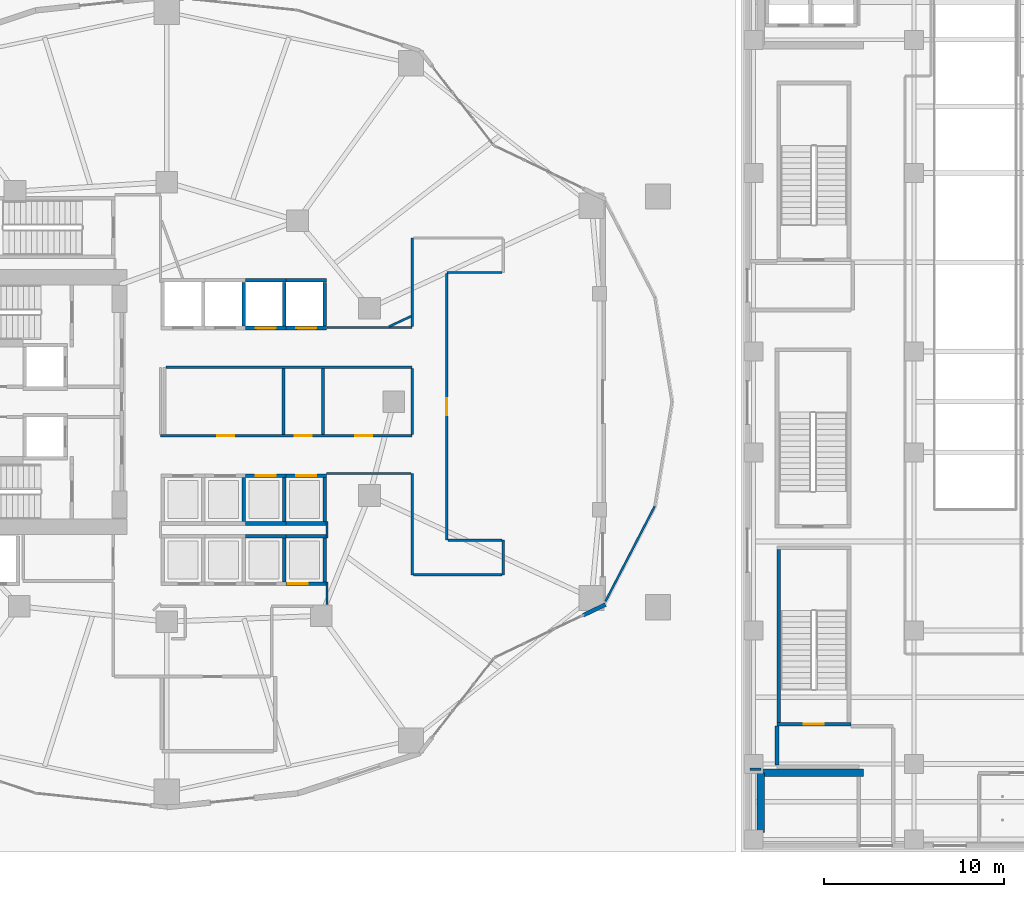
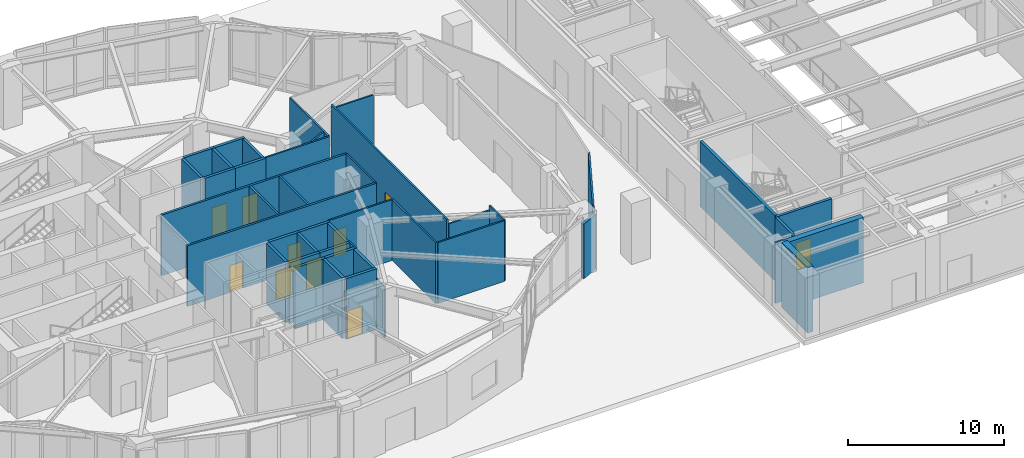
# One storey, part 13 of 23: 44 walls, 10 doors, 10 openings.
"""IFC4 building model written with IfcOpenShell, lengths in metres."""

from ifc_helpers import new_model, si_unit, direction, frame, frame_2d, origin, place, context, subcontext, project, spatial, rectangle, extrude, material, layer, layer_set, type_object, element, fill, save


model = new_model("IFC4")

# Units and contexts
model_context = context("Model", 3, precision=1e-05, world=origin(), true_north=direction((0.0, 1.0)))
body_context = subcontext(model_context, "Body", "Model", "MODEL_VIEW")
ifc_project = project(units=[si_unit("LENGTHUNIT", "METRE"), si_unit("AREAUNIT", "SQUARE_METRE"), si_unit("VOLUMEUNIT", "CUBIC_METRE"), si_unit("PLANEANGLEUNIT", "RADIAN"), si_unit("MASSUNIT", "GRAM", prefix="KILO")], contexts=[model_context])

# Site, building, storey
site_placement = place(None, origin())
site = spatial("IfcSite", under=ifc_project, at=site_placement, CompositionType="ELEMENT")
building_placement = place(site_placement, origin())
building = spatial("IfcBuilding", under=site, at=building_placement, Name="Kolvaren Gate Tower and Convention Centre", CompositionType="ELEMENT")
storey_placement = place(building_placement, origin())
storey = spatial("IfcBuildingStorey", under=building, at=storey_placement, Name="L00", CompositionType="ELEMENT", Elevation=0.0)

# Walls
ifc_material_1 = material(Name="Fire-Rated Acoustic Gypsum Stud Partition", Category="gypsum")
ifc_layer_1 = layer(ifc_material_1, 0.1201171875)
ifc_layer_set_1 = layer_set([ifc_layer_1], Name="Fire-Rated Acoustic Gypsum Stud Partition")
wall_type_1 = type_object("IfcWallType", Name="ARCH-WL-PART-120", PredefinedType="PARTITIONING", material=ifc_layer_set_1)
wall_1_placement = place(storey_placement, frame((39.02001953125, 31.1201171875, 0.0), z_axis=(0.0, 0.0, 1.0), x_axis=(1.0, 0.0, 0.0)))
element("IfcWall", 1, at=wall_1_placement, inside=storey, type_object=wall_type_1, Name="Interior Partition WL-L00-INT-026", PredefinedType="PARTITIONING", context=body_context, shape_type="SweptSolid", body=[
    extrude(rectangle(XDim=4.72998046875, YDim=0.1201171875, at=frame_2d((2.364990234375, 0.0))), origin(), (0.0, 0.0, 1.0), 4.739990234375),
])
wall_2_placement = place(storey_placement, frame((43.75, 17.39990234375, 0.0), z_axis=(0.0, 0.0, 1.0), x_axis=(0.0, 1.0, 0.0)))
element("IfcWall", 2, at=wall_2_placement, inside=storey, type_object=wall_type_1, Name="Interior Partition WL-L00-INT-027", PredefinedType="PARTITIONING", context=body_context, shape_type="SweptSolid", body=[
    extrude(rectangle(XDim=5.6201171875, YDim=0.1201171875, at=frame_2d((2.81005859375, 0.0))), origin(), (0.0, 0.0, 1.0), 4.739990234375),
])
wall_3_placement = place(storey_placement, frame((43.75, 25.197021484375, 0.0), z_axis=(0.0, 0.0, 1.0), x_axis=(0.0, 1.0, 0.0)))
element("IfcWall", 3, at=wall_3_placement, inside=storey, type_object=wall_type_1, Name="Interior Partition WL-L00-INT-028", PredefinedType="PARTITIONING", context=body_context, shape_type="SweptSolid", body=[
    extrude(rectangle(XDim=3.64599609375, YDim=0.1201171875, at=frame_2d((1.822998046875, 0.0))), origin(), (0.0, 0.0, 1.0), 4.739990234375),
])
wall_4_placement = place(storey_placement, frame((43.75, 31.181884765625, 0.0), z_axis=(0.0, 0.0, 1.0), x_axis=(0.0, 1.0, 0.0)))
element("IfcWall", 4, at=wall_4_placement, inside=storey, type_object=wall_type_1, Name="Interior Partition WL-L00-INT-029", PredefinedType="PARTITIONING", context=body_context, shape_type="SweptSolid", body=[
    extrude(rectangle(XDim=4.918212890625, YDim=0.1201171875, at=frame_2d((2.458984375, 0.0))), origin(), (0.0, 0.0, 1.0), 4.739990234375),
])
wall_5_placement = place(storey_placement, frame((48.800048828125, 17.39990234375, 0.0), z_axis=(0.0, 0.0, 1.0), x_axis=(0.0, 1.0, 0.0)))
element("IfcWall", 5, at=wall_5_placement, inside=storey, type_object=wall_type_1, Name="Interior Partition WL-L00-INT-031", PredefinedType="PARTITIONING", context=body_context, shape_type="SweptSolid", body=[
    extrude(rectangle(XDim=1.920166015625, YDim=0.1201171875, at=frame_2d((0.9599609375, 0.0))), origin(), (0.0, 0.0, 1.0), 4.739990234375),
])
wall_6_placement = place(storey_placement, frame((45.669921875, 34.179931640625, 0.0), z_axis=(0.0, 0.0, 1.0), x_axis=(1.0, 0.0, 0.0)))
element("IfcWall", 6, at=wall_6_placement, inside=storey, type_object=wall_type_1, Name="Interior Partition WL-L00-INT-033", PredefinedType="PARTITIONING", context=body_context, shape_type="SweptSolid", body=[
    extrude(rectangle(XDim=3.068115234375, YDim=0.1201171875, at=frame_2d((1.5341796875, 0.0))), origin(), (0.0, 0.0, 1.0), 4.375),
])

# Wall, opening, door
wall_7_placement = place(storey_placement, frame((45.669921875, 19.320068359375, 0.0), z_axis=(0.0, 0.0, 1.0), x_axis=(0.0, 1.0, 0.0)))
wall_7 = element("IfcWall", 7, at=wall_7_placement, inside=storey, type_object=wall_type_1, Name="Interior Partition WL-L00-INT-034", PredefinedType="PARTITIONING", context=body_context, shape_type="SweptSolid", body=[
    extrude(rectangle(XDim=14.7978515625, YDim=0.1201171875, at=frame_2d((7.39892578125, 0.0))), origin(), (0.0, 0.0, 1.0), 4.739990234375),
])
opening_1_placement = place(wall_7_placement, frame((6.924072265625, 0.0, 0.0)))
opening_1 = element("IfcOpeningElement", 8, at=opening_1_placement, cuts=wall_7, Name="Opening DR-01", PredefinedType="OPENING", context=body_context, shape_type="SweptSolid", body=[
    extrude(rectangle(XDim=0.949951171875, YDim=2.10009765625, at=frame_2d((0.47509765625, 1.050048828125))), frame((0.0, 0.070068359375, 0.0), z_axis=(0.0, -1.0, 0.0), x_axis=(1.0, 0.0, 0.0)), (0.0, 0.0, 1.0), 0.14013671875),
])
ifc_material_2 = material(Name="Painted Architectural Steelwork ASTM A500 Grade C 345 MPa", Category="steel")
door_type_1 = type_object("IfcDoorType", Name="ARCH-DR-RISER-950", OperationType="SINGLE_SWING_RIGHT", PredefinedType="DOOR", material=ifc_material_2)
door_1_placement = place(opening_1_placement, origin())
door_1 = element("IfcDoor", 9, at=door_1_placement, inside=storey, type_object=door_type_1, Name="Tower Triple-Height Entrance Lobby Door", OperationType="SINGLE_SWING_RIGHT", OverallHeight=2.10009765625, OverallWidth=0.949951171875, PredefinedType="DOOR", context=body_context, shape_type="SweptSolid", body=[
    extrude(rectangle(XDim=0.949951171875, YDim=2.10009765625, at=frame_2d((0.47509765625, 1.050048828125))), frame((0.0, 0.02490234375, 0.0), z_axis=(0.0, -1.0, 0.0), x_axis=(1.0, 0.0, 0.0)), (0.0, 0.0, 1.0), 0.050048828125),
])
fill(opening_1, door_1)

# Walls
wall_8_placement = place(storey_placement, frame((45.73193359375, 19.320068359375, 0.0), z_axis=(0.0, 0.0, 1.0), x_axis=(1.0, 0.0, 0.0)))
element("IfcWall", 10, at=wall_8_placement, inside=storey, type_object=wall_type_1, Name="Interior Partition WL-L00-INT-035", PredefinedType="PARTITIONING", context=body_context, shape_type="SweptSolid", body=[
    extrude(rectangle(XDim=3.006103515625, YDim=0.1201171875, at=frame_2d((1.5029296875, 0.0))), origin(), (0.0, 0.0, 1.0), 4.375),
])
wall_9_placement = place(storey_placement, frame((43.81201171875, 17.39990234375, 0.0), z_axis=(0.0, 0.0, 1.0), x_axis=(1.0, 0.0, 0.0)))
element("IfcWall", 11, at=wall_9_placement, inside=storey, type_object=wall_type_1, Name="Interior Partition WL-L00-INT-036", PredefinedType="PARTITIONING", context=body_context, shape_type="SweptSolid", body=[
    extrude(rectangle(XDim=4.926025390625, YDim=0.1201171875, at=frame_2d((2.462890625, 0.0))), origin(), (0.0, 0.0, 1.0), 4.739990234375),
])
wall_10_placement = place(storey_placement, frame((39.0, 23.02001953125, 0.0), z_axis=(0.0, 0.0, 1.0), x_axis=(1.0, 0.0, 0.0)))
element("IfcWall", 12, at=wall_10_placement, inside=storey, type_object=wall_type_1, Name="Interior Partition WL-L00-INT-038", PredefinedType="PARTITIONING", context=body_context, shape_type="SweptSolid", body=[
    extrude(rectangle(XDim=4.68798828125, YDim=0.1201171875, at=frame_2d((2.343994140625, 0.0))), origin(), (0.0, 0.0, 1.0), 4.739990234375),
])
wall_11_placement = place(storey_placement, frame((39.02001953125, 15.741943359375, 0.0), z_axis=(0.0, 0.0, 1.0), x_axis=(0.0, 1.0, 0.0)))
element("IfcWall", 13, at=wall_11_placement, inside=storey, type_object=wall_type_1, Name="Interior Partition WL-L00-INT-039", PredefinedType="PARTITIONING", context=body_context, shape_type="SweptSolid", body=[
    extrude(rectangle(XDim=1.26806640625, YDim=0.1201171875, at=frame_2d((0.634033203125, 0.0))), origin(), (0.0, 0.0, 1.0), 3.97412109375),
])
wall_12_placement = place(storey_placement, frame((39.02001953125, 19.43994140625, 0.0), z_axis=(0.0, 0.0, 1.0), x_axis=(0.0, 1.0, 0.0)))
element("IfcWall", 14, at=wall_12_placement, inside=storey, type_object=wall_type_1, Name="Interior Partition WL-L00-INT-039 (2)", PredefinedType="PARTITIONING", context=body_context, shape_type="SweptSolid", body=[
    extrude(rectangle(XDim=0.920166015625, YDim=0.1201171875, at=frame_2d((0.4599609375, 0.0))), origin(), (0.0, 0.0, 1.0), 4.739990234375),
])
wall_13_placement = place(storey_placement, frame((54.48193359375, 15.9248046875, 0.0), z_axis=(0.0, 0.0, 1.0), x_axis=(0.459903416242, 0.88796894525, 0.0)))
element("IfcWall", 15, at=wall_13_placement, inside=storey, type_object=wall_type_1, Name="Interior Partition WL-L00-INT-049", PredefinedType="PARTITIONING", context=body_context, shape_type="SweptSolid", body=[
    extrude(rectangle(XDim=5.94287109375, YDim=0.1201171875, at=frame_2d((2.971435546875, 0.0))), origin(), (0.0, 0.0, 1.0), 4.739990234375),
])
wall_14_placement = place(storey_placement, frame((42.468017578125, 31.181884765625, 0.0), z_axis=(0.0, 0.0, 1.0), x_axis=(0.906178507052, 0.422895392925, 0.0)))
element("IfcWall", 16, at=wall_14_placement, inside=storey, type_object=wall_type_1, Name="Interior Partition WL-L00-INT-050", PredefinedType="PARTITIONING", context=body_context, shape_type="SweptSolid", body=[
    extrude(rectangle(XDim=1.34619140625, YDim=0.1201171875, at=frame_2d((0.673095703125, 0.0))), origin(), (0.0, 0.0, 1.0), 4.739990234375),
])
wall_15_placement = place(storey_placement, frame((62.501953125, 6.60009765625, 0.0), z_axis=(0.0, 0.0, 1.0), x_axis=(1.0, 0.0, 0.0)))
element("IfcWall", 17, at=wall_15_placement, inside=storey, type_object=wall_type_1, Name="Interior Partition WL-L00-INT-075", PredefinedType="PARTITIONING", context=body_context, shape_type="SweptSolid", body=[
    extrude(rectangle(XDim=0.59814453125, YDim=0.1201171875, at=frame_2d((0.299072265625, 0.0))), origin(), (0.0, 0.0, 1.0), 4.739990234375),
])
ifc_material_3 = material(Name="Bogota Sabana Bush-Hammered Sandstone Cladding", Category="masonry")
ifc_layer_2 = layer(ifc_material_3, 0.219970703125)
ifc_layer_set_2 = layer_set([ifc_layer_2], Name="Bogota Sabana Bush-Hammered Sandstone Cladding")
wall_type_2 = type_object("IfcWallType", Name="ARCH-WL-PIER-220", PredefinedType="SOLIDWALL", material=ifc_layer_set_2)
wall_16_placement = place(storey_placement, frame((53.23681640625, 15.151611328125, 0.0), z_axis=(0.0, 0.0, 1.0), x_axis=(0.901316119915, 0.433161923512, 0.0)))
element("IfcWall", 18, at=wall_16_placement, inside=storey, type_object=wall_type_2, Name="Tower L00 Unitised Curtain Wall CW-POD-GLZ Bay 21 Right Column Pier Wrap", PredefinedType="SOLIDWALL", context=body_context, shape_type="SweptSolid", body=[
    extrude(rectangle(XDim=1.38134765625, YDim=0.219970703125, at=frame_2d((0.690673828125, 0.0))), origin(), (0.0, 0.0, 1.0), 4.262939453125),
])
ifc_material_4 = material(Name="Autoclaved Aerated Masonry Blockwork Class 4 (4.0 MPa)", Category="masonry")
ifc_layer_3 = layer(ifc_material_4, 0.199951171875)
ifc_layer_set_3 = layer_set([ifc_layer_3], Name="Autoclaved Aerated Masonry Blockwork Class 4 (4.0 MPa)")
wall_type_3 = type_object("IfcWallType", Name="ARCH-WL-SHAFT-200", PredefinedType="SOLIDWALL", material=ifc_layer_set_3)
wall_17_placement = place(storey_placement, frame((34.39990234375, 31.2099609375, 0.0), z_axis=(0.0, 0.0, 1.0), x_axis=(0.0, 1.0, 0.0)))
element("IfcWall", 19, at=wall_17_placement, inside=storey, type_object=wall_type_3, Name="Elevator PL-02 L00 Fire Shaft Wall E", PredefinedType="SOLIDWALL", context=body_context, shape_type="SweptSolid", body=[
    extrude(rectangle(XDim=2.429931640625, YDim=0.199951171875, at=frame_2d((1.21484375, 0.0))), origin(), (0.0, 0.0, 1.0), 4.739990234375),
])
wall_18_placement = place(storey_placement, frame((34.5, 33.75, 0.0), z_axis=(0.0, 0.0, 1.0), x_axis=(1.0, 0.0, 0.0)))
element("IfcWall", 20, at=wall_18_placement, inside=storey, type_object=wall_type_3, Name="Elevator PL-03 L00 Fire Shaft Wall N", PredefinedType="SOLIDWALL", context=body_context, shape_type="SweptSolid", body=[
    extrude(rectangle(XDim=2.25, YDim=0.199951171875, at=frame_2d((1.125, 0.0))), origin(), (0.0, 0.0, 1.0), 4.739990234375),
])

# Wall, opening, door
wall_19_placement = place(storey_placement, frame((34.5, 31.10009765625, 0.0), z_axis=(0.0, 0.0, 1.0), x_axis=(1.0, 0.0, 0.0)))
wall_19 = element("IfcWall", 21, at=wall_19_placement, inside=storey, type_object=wall_type_3, Name="Elevator PL-03 L00 Fire Shaft Wall S", PredefinedType="SOLIDWALL", context=body_context, shape_type="SweptSolid", body=[
    extrude(rectangle(XDim=2.25, YDim=0.199951171875, at=frame_2d((1.125, 0.0))), origin(), (0.0, 0.0, 1.0), 4.739990234375),
])
opening_2_placement = place(wall_19_placement, frame((0.574951171875, 0.0, 0.0)))
opening_2 = element("IfcOpeningElement", 22, at=opening_2_placement, cuts=wall_19, Name="Opening LD", PredefinedType="OPENING", context=body_context, shape_type="SweptSolid", body=[
    extrude(rectangle(XDim=1.10009765625, YDim=2.199951171875, at=frame_2d((0.550048828125, 1.10009765625))), frame((0.0, 0.10986328125, 0.0), z_axis=(0.0, -1.0, 0.0), x_axis=(1.0, 0.0, 0.0)), (0.0, 0.0, 1.0), 0.219970703125),
])
ifc_material_5 = material(Name="Brushed Stainless Steel Grade 316L", Category="steel")
door_type_2 = type_object("IfcDoorType", Name="ARCH-DR-LIFT-1100", OperationType="SLIDING_TO_LEFT", PredefinedType="DOOR", material=ifc_material_5)
door_2_placement = place(opening_2_placement, origin())
door_2 = element("IfcDoor", 23, at=door_2_placement, inside=storey, type_object=door_type_2, Name="Elevator PL-03 L00 Sliding Landing Door", OperationType="SLIDING_TO_LEFT", OverallHeight=2.199951171875, OverallWidth=1.10009765625, PredefinedType="DOOR", context=body_context, shape_type="SweptSolid", body=[
    extrude(rectangle(XDim=1.10009765625, YDim=2.199951171875, at=frame_2d((0.550048828125, 1.10009765625))), frame((0.0, 0.02490234375, 0.0), z_axis=(0.0, -1.0, 0.0), x_axis=(1.0, 0.0, 0.0)), (0.0, 0.0, 1.0), 0.050048828125),
])
fill(opening_2, door_2)

# Walls
wall_20_placement = place(storey_placement, frame((36.64990234375, 31.2099609375, 0.0), z_axis=(0.0, 0.0, 1.0), x_axis=(0.0, 1.0, 0.0)))
element("IfcWall", 24, at=wall_20_placement, inside=storey, type_object=wall_type_3, Name="Elevator PL-03 L00 Fire Shaft Wall E", PredefinedType="SOLIDWALL", context=body_context, shape_type="SweptSolid", body=[
    extrude(rectangle(XDim=2.429931640625, YDim=0.199951171875, at=frame_2d((1.21484375, 0.0))), origin(), (0.0, 0.0, 1.0), 4.739990234375),
])
wall_21_placement = place(storey_placement, frame((36.75, 33.75, 0.0), z_axis=(0.0, 0.0, 1.0), x_axis=(1.0, 0.0, 0.0)))
element("IfcWall", 25, at=wall_21_placement, inside=storey, type_object=wall_type_3, Name="Elevator PL-04 L00 Fire Shaft Wall N", PredefinedType="SOLIDWALL", context=body_context, shape_type="SweptSolid", body=[
    extrude(rectangle(XDim=2.25, YDim=0.199951171875, at=frame_2d((1.125, 0.0))), origin(), (0.0, 0.0, 1.0), 4.739990234375),
])

# Wall, opening, door
wall_22_placement = place(storey_placement, frame((36.75, 31.10009765625, 0.0), z_axis=(0.0, 0.0, 1.0), x_axis=(1.0, 0.0, 0.0)))
wall_22 = element("IfcWall", 26, at=wall_22_placement, inside=storey, type_object=wall_type_3, Name="Elevator PL-04 L00 Fire Shaft Wall S", PredefinedType="SOLIDWALL", context=body_context, shape_type="SweptSolid", body=[
    extrude(rectangle(XDim=2.25, YDim=0.199951171875, at=frame_2d((1.125, 0.0))), origin(), (0.0, 0.0, 1.0), 4.739990234375),
])
opening_3_placement = place(wall_22_placement, frame((0.574951171875, 0.0, 0.0)))
opening_3 = element("IfcOpeningElement", 27, at=opening_3_placement, cuts=wall_22, Name="Opening LD", PredefinedType="OPENING", context=body_context, shape_type="SweptSolid", body=[
    extrude(rectangle(XDim=1.10009765625, YDim=2.199951171875, at=frame_2d((0.550048828125, 1.10009765625))), frame((0.0, 0.10986328125, 0.0), z_axis=(0.0, -1.0, 0.0), x_axis=(1.0, 0.0, 0.0)), (0.0, 0.0, 1.0), 0.219970703125),
])
door_3_placement = place(opening_3_placement, origin())
door_3 = element("IfcDoor", 28, at=door_3_placement, inside=storey, type_object=door_type_2, Name="Elevator PL-04 L00 Sliding Landing Door", OperationType="SLIDING_TO_LEFT", OverallHeight=2.199951171875, OverallWidth=1.10009765625, PredefinedType="DOOR", context=body_context, shape_type="SweptSolid", body=[
    extrude(rectangle(XDim=1.10009765625, YDim=2.199951171875, at=frame_2d((0.550048828125, 1.10009765625))), frame((0.0, 0.02490234375, 0.0), z_axis=(0.0, -1.0, 0.0), x_axis=(1.0, 0.0, 0.0)), (0.0, 0.0, 1.0), 0.050048828125),
])
fill(opening_3, door_3)

# Walls
wall_23_placement = place(storey_placement, frame((38.89990234375, 31.2099609375, 0.0), z_axis=(0.0, 0.0, 1.0), x_axis=(0.0, 1.0, 0.0)))
element("IfcWall", 29, at=wall_23_placement, inside=storey, type_object=wall_type_3, Name="Elevator PL-04 L00 Fire Shaft Wall E", PredefinedType="SOLIDWALL", context=body_context, shape_type="SweptSolid", body=[
    extrude(rectangle(XDim=2.429931640625, YDim=0.199951171875, at=frame_2d((1.21484375, 0.0))), origin(), (0.0, 0.0, 1.0), 4.739990234375),
])
wall_24_placement = place(storey_placement, frame((34.5, 19.550048828125, 0.0), z_axis=(0.0, 0.0, 1.0), x_axis=(1.0, 0.0, 0.0)))
element("IfcWall", 30, at=wall_24_placement, inside=storey, type_object=wall_type_3, Name="Elevator PL-07 L00 Fire Shaft Wall N", PredefinedType="SOLIDWALL", context=body_context, shape_type="SweptSolid", body=[
    extrude(rectangle(XDim=2.25, YDim=0.199951171875, at=frame_2d((1.125, 0.0))), origin(), (0.0, 0.0, 1.0), 4.739990234375),
])
wall_25_placement = place(storey_placement, frame((36.64990234375, 17.010009765625, 0.0), z_axis=(0.0, 0.0, 1.0), x_axis=(0.0, 1.0, 0.0)))
element("IfcWall", 31, at=wall_25_placement, inside=storey, type_object=wall_type_3, Name="Elevator PL-07 L00 Fire Shaft Wall E", PredefinedType="SOLIDWALL", context=body_context, shape_type="SweptSolid", body=[
    extrude(rectangle(XDim=2.429931640625, YDim=0.199951171875, at=frame_2d((1.21484375, 0.0))), origin(), (0.0, 0.0, 1.0), 4.739990234375),
])
wall_26_placement = place(storey_placement, frame((36.75, 19.550048828125, 0.0), z_axis=(0.0, 0.0, 1.0), x_axis=(1.0, 0.0, 0.0)))
element("IfcWall", 32, at=wall_26_placement, inside=storey, type_object=wall_type_3, Name="Elevator PL-08 L00 Fire Shaft Wall N", PredefinedType="SOLIDWALL", context=body_context, shape_type="SweptSolid", body=[
    extrude(rectangle(XDim=2.25, YDim=0.199951171875, at=frame_2d((1.125, 0.0))), origin(), (0.0, 0.0, 1.0), 4.739990234375),
])

# Wall, opening, door
wall_27_placement = place(storey_placement, frame((36.75, 16.89990234375, 0.0), z_axis=(0.0, 0.0, 1.0), x_axis=(1.0, 0.0, 0.0)))
wall_27 = element("IfcWall", 33, at=wall_27_placement, inside=storey, type_object=wall_type_3, Name="Elevator PL-08 L00 Fire Shaft Wall S", PredefinedType="SOLIDWALL", context=body_context, shape_type="SweptSolid", body=[
    extrude(rectangle(XDim=2.25, YDim=0.199951171875, at=frame_2d((1.125, 0.0))), origin(), (0.0, 0.0, 1.0), 4.739990234375),
])
opening_4_placement = place(wall_27_placement, frame((0.094970703125, 0.0, 0.0)))
opening_4 = element("IfcOpeningElement", 34, at=opening_4_placement, cuts=wall_27, Name="Opening LD", PredefinedType="OPENING", context=body_context, shape_type="SweptSolid", body=[
    extrude(rectangle(XDim=1.10009765625, YDim=2.199951171875, at=frame_2d((0.550048828125, 1.10009765625))), frame((0.0, 0.10986328125, 0.0), z_axis=(0.0, -1.0, 0.0), x_axis=(1.0, 0.0, 0.0)), (0.0, 0.0, 1.0), 0.219970703125),
])
door_4_placement = place(opening_4_placement, origin())
door_4 = element("IfcDoor", 35, at=door_4_placement, inside=storey, type_object=door_type_2, Name="Elevator PL-08 L00 Sliding Landing Door", OperationType="SLIDING_TO_LEFT", OverallHeight=2.199951171875, OverallWidth=1.10009765625, PredefinedType="DOOR", context=body_context, shape_type="SweptSolid", body=[
    extrude(rectangle(XDim=1.10009765625, YDim=2.199951171875, at=frame_2d((0.550048828125, 1.10009765625))), frame((0.0, 0.02490234375, 0.0), z_axis=(0.0, -1.0, 0.0), x_axis=(1.0, 0.0, 0.0)), (0.0, 0.0, 1.0), 0.050048828125),
])
fill(opening_4, door_4)

# Walls
for number, where, z_axis, x_axis, name in (
    (36, (38.89990234375, 17.010009765625, 0.0), (0.0, 0.0, 1.0), (0.0, 1.0, 0.0), "Elevator PL-08 L00 Fire Shaft Wall E"),
    (37, (34.39990234375, 20.360107421875, 0.0), (0.0, 0.0, 1.0), (0.0, 1.0, 0.0), "Elevator PL-10 L00 Fire Shaft Wall E"),
):
    element("IfcWall", number, at=place(storey_placement, frame(where, z_axis=z_axis, x_axis=x_axis)), inside=storey, type_object=wall_type_3, Name=name, PredefinedType="SOLIDWALL", context=body_context, shape_type="SweptSolid", body=[
        extrude(rectangle(XDim=2.429931640625, YDim=0.199951171875, at=frame_2d((1.21484375, 0.0))), origin(), (0.0, 0.0, 1.0), 4.739990234375),
    ])

# Wall, opening, door
wall_28_placement = place(storey_placement, frame((34.5, 22.89990234375, 0.0), z_axis=(0.0, 0.0, 1.0), x_axis=(1.0, 0.0, 0.0)))
wall_28 = element("IfcWall", 38, at=wall_28_placement, inside=storey, type_object=wall_type_3, Name="Elevator PL-11 L00 Fire Shaft Wall N", PredefinedType="SOLIDWALL", context=body_context, shape_type="SweptSolid", body=[
    extrude(rectangle(XDim=2.25, YDim=0.199951171875, at=frame_2d((1.125, 0.0))), origin(), (0.0, 0.0, 1.0), 4.739990234375),
])
opening_5_placement = place(wall_28_placement, frame((0.574951171875, 0.0, 0.0)))
opening_5 = element("IfcOpeningElement", 39, at=opening_5_placement, cuts=wall_28, Name="Opening LD", PredefinedType="OPENING", context=body_context, shape_type="SweptSolid", body=[
    extrude(rectangle(XDim=1.10009765625, YDim=2.199951171875, at=frame_2d((0.550048828125, 1.10009765625))), frame((0.0, 0.10986328125, 0.0), z_axis=(0.0, -1.0, 0.0), x_axis=(1.0, 0.0, 0.0)), (0.0, 0.0, 1.0), 0.219970703125),
])
door_5_placement = place(opening_5_placement, origin())
door_5 = element("IfcDoor", 40, at=door_5_placement, inside=storey, type_object=door_type_2, Name="Elevator PL-11 L00 Sliding Landing Door", OperationType="SLIDING_TO_LEFT", OverallHeight=2.199951171875, OverallWidth=1.10009765625, PredefinedType="DOOR", context=body_context, shape_type="SweptSolid", body=[
    extrude(rectangle(XDim=1.10009765625, YDim=2.199951171875, at=frame_2d((0.550048828125, 1.10009765625))), frame((0.0, 0.02490234375, 0.0), z_axis=(0.0, -1.0, 0.0), x_axis=(1.0, 0.0, 0.0)), (0.0, 0.0, 1.0), 0.050048828125),
])
fill(opening_5, door_5)

# Walls
wall_29_placement = place(storey_placement, frame((34.5, 20.25, 0.0), z_axis=(0.0, 0.0, 1.0), x_axis=(1.0, 0.0, 0.0)))
element("IfcWall", 41, at=wall_29_placement, inside=storey, type_object=wall_type_3, Name="Elevator PL-11 L00 Fire Shaft Wall S", PredefinedType="SOLIDWALL", context=body_context, shape_type="SweptSolid", body=[
    extrude(rectangle(XDim=2.25, YDim=0.199951171875, at=frame_2d((1.125, 0.0))), origin(), (0.0, 0.0, 1.0), 4.739990234375),
])
wall_30_placement = place(storey_placement, frame((36.64990234375, 20.360107421875, 0.0), z_axis=(0.0, 0.0, 1.0), x_axis=(0.0, 1.0, 0.0)))
element("IfcWall", 42, at=wall_30_placement, inside=storey, type_object=wall_type_3, Name="Elevator PL-11 L00 Fire Shaft Wall E", PredefinedType="SOLIDWALL", context=body_context, shape_type="SweptSolid", body=[
    extrude(rectangle(XDim=2.429931640625, YDim=0.199951171875, at=frame_2d((1.21484375, 0.0))), origin(), (0.0, 0.0, 1.0), 4.739990234375),
])

# Wall, opening, door
wall_31_placement = place(storey_placement, frame((36.75, 22.89990234375, 0.0), z_axis=(0.0, 0.0, 1.0), x_axis=(1.0, 0.0, 0.0)))
wall_31 = element("IfcWall", 43, at=wall_31_placement, inside=storey, type_object=wall_type_3, Name="Elevator PL-12 L00 Fire Shaft Wall N", PredefinedType="SOLIDWALL", context=body_context, shape_type="SweptSolid", body=[
    extrude(rectangle(XDim=2.25, YDim=0.199951171875, at=frame_2d((1.125, 0.0))), origin(), (0.0, 0.0, 1.0), 4.739990234375),
])
opening_6_placement = place(wall_31_placement, frame((0.574951171875, 0.0, 0.0)))
opening_6 = element("IfcOpeningElement", 44, at=opening_6_placement, cuts=wall_31, Name="Opening LD", PredefinedType="OPENING", context=body_context, shape_type="SweptSolid", body=[
    extrude(rectangle(XDim=1.10009765625, YDim=2.199951171875, at=frame_2d((0.550048828125, 1.10009765625))), frame((0.0, 0.10986328125, 0.0), z_axis=(0.0, -1.0, 0.0), x_axis=(1.0, 0.0, 0.0)), (0.0, 0.0, 1.0), 0.219970703125),
])
door_6_placement = place(opening_6_placement, origin())
door_6 = element("IfcDoor", 45, at=door_6_placement, inside=storey, type_object=door_type_2, Name="Elevator PL-12 L00 Sliding Landing Door", OperationType="SLIDING_TO_LEFT", OverallHeight=2.199951171875, OverallWidth=1.10009765625, PredefinedType="DOOR", context=body_context, shape_type="SweptSolid", body=[
    extrude(rectangle(XDim=1.10009765625, YDim=2.199951171875, at=frame_2d((0.550048828125, 1.10009765625))), frame((0.0, 0.02490234375, 0.0), z_axis=(0.0, -1.0, 0.0), x_axis=(1.0, 0.0, 0.0)), (0.0, 0.0, 1.0), 0.050048828125),
])
fill(opening_6, door_6)

# Walls
wall_32_placement = place(storey_placement, frame((36.75, 20.25, 0.0), z_axis=(0.0, 0.0, 1.0), x_axis=(1.0, 0.0, 0.0)))
element("IfcWall", 46, at=wall_32_placement, inside=storey, type_object=wall_type_3, Name="Elevator PL-12 L00 Fire Shaft Wall S", PredefinedType="SOLIDWALL", context=body_context, shape_type="SweptSolid", body=[
    extrude(rectangle(XDim=2.25, YDim=0.199951171875, at=frame_2d((1.125, 0.0))), origin(), (0.0, 0.0, 1.0), 4.739990234375),
])
wall_33_placement = place(storey_placement, frame((38.89990234375, 20.360107421875, 0.0), z_axis=(0.0, 0.0, 1.0), x_axis=(0.0, 1.0, 0.0)))
element("IfcWall", 47, at=wall_33_placement, inside=storey, type_object=wall_type_3, Name="Elevator PL-12 L00 Fire Shaft Wall E", PredefinedType="SOLIDWALL", context=body_context, shape_type="SweptSolid", body=[
    extrude(rectangle(XDim=2.429931640625, YDim=0.199951171875, at=frame_2d((1.21484375, 0.0))), origin(), (0.0, 0.0, 1.0), 4.739990234375),
])
wall_34_placement = place(storey_placement, frame((64.0, 6.85205078125, 0.0), z_axis=(0.0, 0.0, 1.0), x_axis=(0.0, 1.0, 0.0)))
element("IfcWall", 48, at=wall_34_placement, inside=storey, type_object=wall_type_3, Name="Interior Partition WL-L00-INT-061", PredefinedType="SOLIDWALL", context=body_context, shape_type="SweptSolid", body=[
    extrude(rectangle(XDim=2.14599609375, YDim=0.199951171875, at=frame_2d((1.072998046875, 0.0))), origin(), (0.0, 0.0, 1.0), 4.739990234375),
])

# Wall, openings, doors
ifc_material_6 = material(Name="Moisture-Resistant Cement-Board Acoustic Partition", Category="gypsum")
ifc_layer_4 = layer(ifc_material_6, 0.14990234375)
ifc_layer_set_4 = layer_set([ifc_layer_4], Name="Moisture-Resistant Cement-Board Acoustic Partition")
wall_type_4 = type_object("IfcWallType", Name="ARCH-WL-WET-150", PredefinedType="PARTITIONING", material=ifc_layer_set_4)
wall_35_placement = place(storey_placement, frame((29.780029296875, 25.1201171875, 0.0), z_axis=(0.0, 0.0, 1.0), x_axis=(1.0, 0.0, 0.0)))
wall_35 = element("IfcWall", 49, at=wall_35_placement, inside=storey, type_object=wall_type_4, Name="Interior Partition WL-L00-INT-012", PredefinedType="PARTITIONING", context=body_context, shape_type="SweptSolid", body=[
    extrude(rectangle(XDim=13.969970703125, YDim=0.14990234375, at=frame_2d((6.98486328125, 0.0))), origin(), (0.0, 0.0, 1.0), 4.739990234375),
])
opening_7_placement = place(wall_35_placement, frame((3.139892578125, 0.0, 0.0)))
opening_7 = element("IfcOpeningElement", 50, at=opening_7_placement, cuts=wall_35, Name="Opening DR-01", PredefinedType="OPENING", context=body_context, shape_type="SweptSolid", body=[
    extrude(rectangle(XDim=0.949951171875, YDim=2.10009765625, at=frame_2d((0.47509765625, 1.050048828125))), frame((0.0, 0.0849609375, 0.0), z_axis=(0.0, -1.0, 0.0), x_axis=(1.0, 0.0, 0.0)), (0.0, 0.0, 1.0), 0.169921875),
])
opening_8_placement = place(wall_35_placement, frame((7.445068359375, 0.0, 0.0)))
opening_8 = element("IfcOpeningElement", 51, at=opening_8_placement, cuts=wall_35, Name="Opening DR-01", PredefinedType="OPENING", context=body_context, shape_type="SweptSolid", body=[
    extrude(rectangle(XDim=0.949951171875, YDim=2.10009765625, at=frame_2d((0.47509765625, 1.050048828125))), frame((0.0, 0.0849609375, 0.0), z_axis=(0.0, -1.0, 0.0), x_axis=(1.0, 0.0, 0.0)), (0.0, 0.0, 1.0), 0.169921875),
])
opening_9_placement = place(wall_35_placement, frame((10.81494140625, 0.0, 0.0)))
opening_9 = element("IfcOpeningElement", 52, at=opening_9_placement, cuts=wall_35, Name="Opening DR-01", PredefinedType="OPENING", context=body_context, shape_type="SweptSolid", body=[
    extrude(rectangle(XDim=0.949951171875, YDim=2.10009765625, at=frame_2d((0.47509765625, 1.050048828125))), frame((0.0, 0.0849609375, 0.0), z_axis=(0.0, -1.0, 0.0), x_axis=(1.0, 0.0, 0.0)), (0.0, 0.0, 1.0), 0.169921875),
])
door_7_placement = place(opening_7_placement, origin())
door_7 = element("IfcDoor", 53, at=door_7_placement, inside=storey, type_object=door_type_1, Name="Accessible Universal Washroom Door", OperationType="SINGLE_SWING_LEFT", OverallHeight=2.10009765625, OverallWidth=0.949951171875, PredefinedType="DOOR", context=body_context, shape_type="SweptSolid", body=[
    extrude(rectangle(XDim=0.949951171875, YDim=2.10009765625, at=frame_2d((0.47509765625, 1.050048828125))), frame((0.0, 0.02490234375, 0.0), z_axis=(0.0, -1.0, 0.0), x_axis=(1.0, 0.0, 0.0)), (0.0, 0.0, 1.0), 0.050048828125),
])
fill(opening_7, door_7)
door_8_placement = place(opening_8_placement, origin())
door_8 = element("IfcDoor", 54, at=door_8_placement, inside=storey, type_object=door_type_1, Name="Floor Janitor and Supply Store Door", OperationType="SINGLE_SWING_RIGHT", OverallHeight=2.10009765625, OverallWidth=0.949951171875, PredefinedType="DOOR", context=body_context, shape_type="SweptSolid", body=[
    extrude(rectangle(XDim=0.949951171875, YDim=2.10009765625, at=frame_2d((0.47509765625, 1.050048828125))), frame((0.0, 0.02490234375, 0.0), z_axis=(0.0, -1.0, 0.0), x_axis=(1.0, 0.0, 0.0)), (0.0, 0.0, 1.0), 0.050048828125),
])
fill(opening_8, door_8)
door_9_placement = place(opening_9_placement, origin())
door_9 = element("IfcDoor", 55, at=door_9_placement, inside=storey, type_object=door_type_1, Name="Andean Craft Flagship Boutique Door", OperationType="SINGLE_SWING_LEFT", OverallHeight=2.10009765625, OverallWidth=0.949951171875, PredefinedType="DOOR", context=body_context, shape_type="SweptSolid", body=[
    extrude(rectangle(XDim=0.949951171875, YDim=2.10009765625, at=frame_2d((0.47509765625, 1.050048828125))), frame((0.0, 0.02490234375, 0.0), z_axis=(0.0, -1.0, 0.0), x_axis=(1.0, 0.0, 0.0)), (0.0, 0.0, 1.0), 0.050048828125),
])
fill(opening_9, door_9)

# Walls
wall_36_placement = place(storey_placement, frame((30.076904296875, 28.919921875, 0.0), z_axis=(0.0, 0.0, 1.0), x_axis=(1.0, 0.0, 0.0)))
element("IfcWall", 56, at=wall_36_placement, inside=storey, type_object=wall_type_4, Name="Interior Partition WL-L00-INT-014", PredefinedType="PARTITIONING", context=body_context, shape_type="SweptSolid", body=[
    extrude(rectangle(XDim=13.673095703125, YDim=0.14990234375, at=frame_2d((6.83642578125, 0.0))), origin(), (0.0, 0.0, 1.0), 4.739990234375),
])
for number, where, z_axis, x_axis, name in (
    (57, (36.60009765625, 25.197021484375, 0.0), (0.0, 0.0, 1.0), (0.0, 1.0, 0.0), "Interior Partition WL-L00-INT-015"),
    (58, (38.800048828125, 25.197021484375, 0.0), (0.0, 0.0, 1.0), (0.0, 1.0, 0.0), "Interior Partition WL-L00-INT-016"),
):
    element("IfcWall", number, at=place(storey_placement, frame(where, z_axis=z_axis, x_axis=x_axis)), inside=storey, type_object=wall_type_4, Name=name, PredefinedType="PARTITIONING", context=body_context, shape_type="SweptSolid", body=[
        extrude(rectangle(XDim=3.64599609375, YDim=0.14990234375, at=frame_2d((1.822998046875, 0.0))), origin(), (0.0, 0.0, 1.0), 4.739990234375),
    ])
ifc_material_7 = material(Name="Concrete C50/60", Category="concrete")
ifc_layer_5 = layer(ifc_material_7, 0.419921875)
ifc_layer_set_5 = layer_set([ifc_layer_5], Name="Concrete C50/60")
wall_type_5 = type_object("IfcWallType", Name="STR-WL-CONV-420", PredefinedType="SHEAR", material=ifc_layer_set_5)
wall_37_placement = place(storey_placement, frame((63.10009765625, 3.10009765625, -0.360107421875), z_axis=(0.0, 0.0, 1.0), x_axis=(0.0, 1.0, 0.0)))
element("IfcWall", 59, at=wall_37_placement, inside=storey, type_object=wall_type_5, Name="Convention L00 Shear Core Wall CCSW-W", PredefinedType="SHEAR", context=body_context, shape_type="SweptSolid", body=[
    extrude(rectangle(XDim=3.2998046875, YDim=0.419921875, at=frame_2d((1.64990234375, 0.0))), origin(), (0.0, 0.0, 1.0), 5.10009765625),
])
wall_38_placement = place(storey_placement, frame((63.10009765625, 6.39990234375, -0.360107421875), z_axis=(0.0, 0.0, 1.0), x_axis=(1.0, 0.0, 0.0)))
element("IfcWall", 60, at=wall_38_placement, inside=storey, type_object=wall_type_5, Name="Convention L00 Shear Core Wall CCSW-N", PredefinedType="SHEAR", context=body_context, shape_type="SweptSolid", body=[
    extrude(rectangle(XDim=5.699951171875, YDim=0.419921875, at=frame_2d((2.85009765625, 0.0))), origin(), (0.0, 0.0, 1.0), 5.10009765625),
])

# Wall, opening, door
ifc_layer_6 = layer(ifc_material_7, 0.199951171875)
ifc_layer_set_6 = layer_set([ifc_layer_6], Name="Concrete C50/60")
wall_type_6 = type_object("IfcWallType", Name="STR-WL-SHAFT-200", PredefinedType="SHEAR", material=ifc_layer_set_6)
wall_39_placement = place(storey_placement, frame((64.0, 9.10009765625, -0.360107421875), z_axis=(0.0, 0.0, 1.0), x_axis=(1.0, 0.0, 0.0)))
wall_39 = element("IfcWall", 61, at=wall_39_placement, inside=storey, type_object=wall_type_6, Name="Convention SW Exit Stair ST-C2 L00 Structural Shear Enclosure Wall NEAR", PredefinedType="SHEAR", context=body_context, shape_type="SweptSolid", body=[
    extrude(rectangle(XDim=4.10009765625, YDim=0.199951171875, at=frame_2d((2.050048828125, 0.0))), origin(), (0.0, 0.0, 1.0), 5.10009765625),
])
opening_10_placement = place(wall_39_placement, frame((1.5, 0.0, 0.360107421875)))
opening_10 = element("IfcOpeningElement", 62, at=opening_10_placement, cuts=wall_39, Name="Opening DS-01", PredefinedType="OPENING", context=body_context, shape_type="SweptSolid", body=[
    extrude(rectangle(XDim=1.10009765625, YDim=2.14990234375, at=frame_2d((0.550048828125, 1.074951171875))), frame((0.0, 0.10986328125, 0.0), z_axis=(0.0, -1.0, 0.0), x_axis=(1.0, 0.0, 0.0)), (0.0, 0.0, 1.0), 0.219970703125),
])
door_type_3 = type_object("IfcDoorType", Name="ARCH-DR-STAIR-1100", OperationType="SINGLE_SWING_LEFT", PredefinedType="DOOR", material=ifc_material_2)
door_10_placement = place(opening_10_placement, origin())
door_10 = element("IfcDoor", 63, at=door_10_placement, inside=storey, type_object=door_type_3, Name="Convention SW Exit Stair ST-C2 L00 Fire Exit Stair Door", OperationType="SINGLE_SWING_RIGHT", OverallHeight=2.14990234375, OverallWidth=1.10009765625, PredefinedType="DOOR", context=body_context, shape_type="SweptSolid", body=[
    extrude(rectangle(XDim=1.10009765625, YDim=2.14990234375, at=frame_2d((0.550048828125, 1.074951171875))), frame((0.0, 0.02490234375, 0.0), z_axis=(0.0, -1.0, 0.0), x_axis=(1.0, 0.0, 0.0)), (0.0, 0.0, 1.0), 0.050048828125),
])
fill(opening_10, door_10)

# Wall
wall_40_placement = place(storey_placement, frame((64.10009765625, 9.201904296875, -0.360107421875), z_axis=(0.0, 0.0, 1.0), x_axis=(0.0, 1.0, 0.0)))
element("IfcWall", 64, at=wall_40_placement, inside=storey, type_object=wall_type_6, Name="Convention SW Exit Stair ST-C2 L00 Structural Shear Enclosure Wall WEST", PredefinedType="SHEAR", context=body_context, shape_type="SweptSolid", body=[
    extrude(rectangle(XDim=9.59619140625, YDim=0.199951171875, at=frame_2d((4.798095703125, 0.0))), origin(), (0.0, 0.0, 1.0), 5.10009765625),
])

save(model, "model.ifc")
